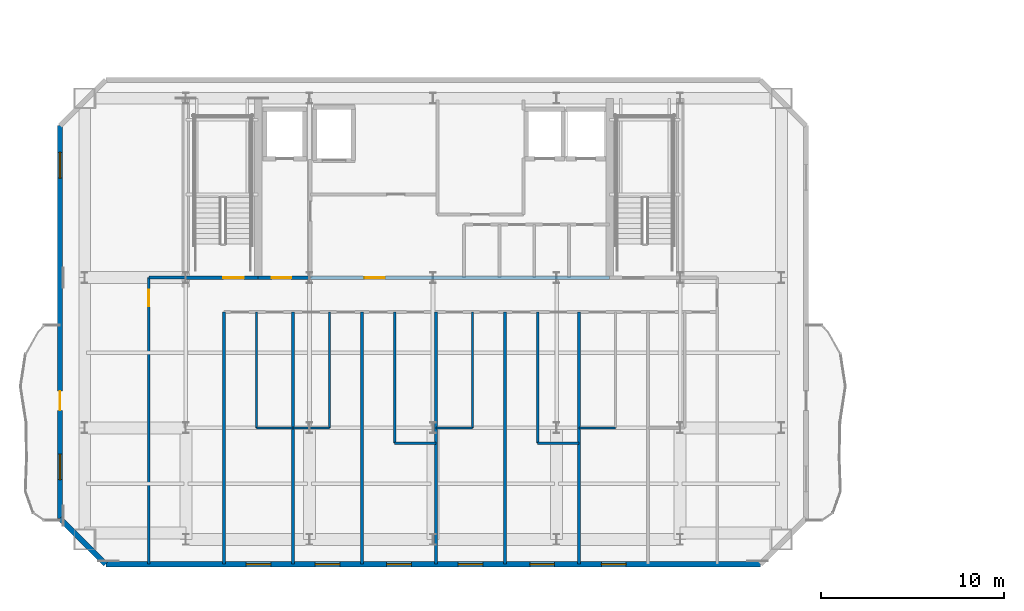
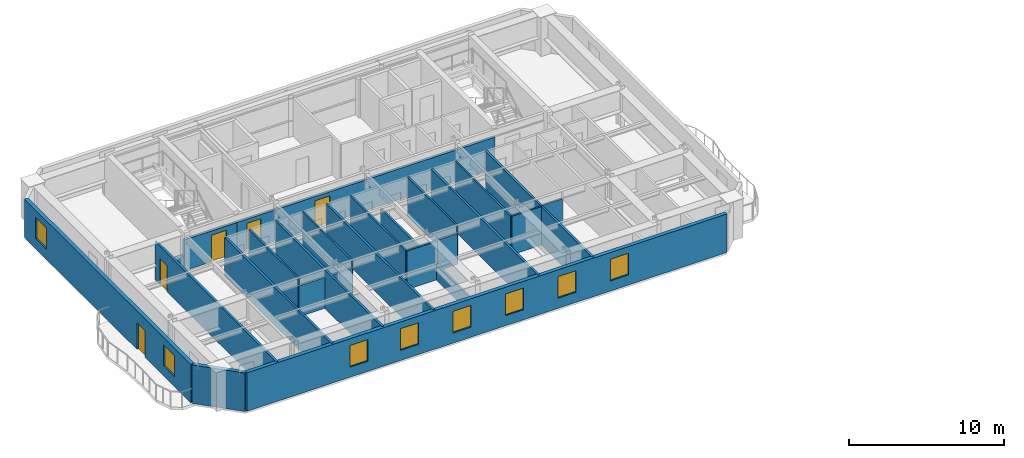
# One storey, part 7 of 16: 25 walls, 8 windows, 5 doors, 13 openings.
"""IFC4 building model written with IfcOpenShell, lengths in metres."""

from ifc_helpers import new_model, si_unit, direction, frame, frame_2d, origin, place, context, subcontext, project, spatial, rectangle, extrude, material, layer, layer_set, type_object, element, fill, save


model = new_model("IFC4")

# Units and contexts
model_context = context("Model", 3, precision=1e-05, world=origin(), true_north=direction((0.0, 1.0)))
body_context = subcontext(model_context, "Body", "Model", "MODEL_VIEW")
ifc_project = project(units=[si_unit("LENGTHUNIT", "METRE"), si_unit("AREAUNIT", "SQUARE_METRE"), si_unit("VOLUMEUNIT", "CUBIC_METRE"), si_unit("PLANEANGLEUNIT", "RADIAN"), si_unit("MASSUNIT", "GRAM", prefix="KILO")], contexts=[model_context])

# Site, building, storey
site_placement = place(None, origin())
site = spatial("IfcSite", under=ifc_project, at=site_placement, CompositionType="ELEMENT")
building_placement = place(site_placement, origin())
building = spatial("IfcBuilding", under=site, at=building_placement, Name="Haevon Station Towers", CompositionType="ELEMENT")
storey_placement = place(building_placement, frame((0.0, 0.0, 215.39990234375)))
storey = spatial("IfcBuildingStorey", under=building, at=storey_placement, Name="L59", CompositionType="ELEMENT", Elevation=215.39990234375)

# Wall, opening, door
ifc_material_1 = material(Name="Gypsum board on steel stud", Category="steel")
ifc_layer_1 = layer(ifc_material_1, 0.199951171875)
ifc_layer_set_1 = layer_set([ifc_layer_1], Name="Gypsum board on steel stud")
wall_type_1 = type_object("IfcWallType", Name="WL-COR200", PredefinedType="PARTITIONING", material=ifc_layer_set_1)
wall_1_placement = place(storey_placement, frame((24.0, 38.199951171875, 0.0), z_axis=(0.0, 0.0, 1.0), x_axis=(1.0, 0.0, 0.0)))
wall_1 = element("IfcWall", 1, at=wall_1_placement, inside=storey, type_object=wall_type_1, Name="WL-ST-ST1-L59", PredefinedType="PARTITIONING", context=body_context, shape_type="SweptSolid", body=[
    extrude(rectangle(XDim=3.949951171875, YDim=0.199951171875, at=frame_2d((1.97509765625, 0.0))), origin(), (0.0, 0.0, 1.0), 2.43017578125),
])
opening_1_placement = place(wall_1_placement, frame((2.050048828125, 0.0, 0.0)))
opening_1 = element("IfcOpeningElement", 2, at=opening_1_placement, cuts=wall_1, Name="Opening DR-ST-ST1-L59", PredefinedType="OPENING", context=body_context, shape_type="SweptSolid", body=[
    extrude(rectangle(XDim=1.1201171875, YDim=2.10009765625, at=frame_2d((0.56005859375, 1.050048828125))), frame((0.0, 0.10986328125, 0.0), z_axis=(0.0, -1.0, 0.0), x_axis=(1.0, 0.0, 0.0)), (0.0, 0.0, 1.0), 0.219970703125),
])
ifc_material_2 = material(Name="Engineered oak timber", Category="wood")
door_type_1 = type_object("IfcDoorType", Name="DR-ST-1120", OperationType="NOTDEFINED", PredefinedType="DOOR", material=ifc_material_2)
door_1_placement = place(opening_1_placement, origin())
door_1 = element("IfcDoor", 3, at=door_1_placement, inside=storey, type_object=door_type_1, Name="L59 Escape Stair ST1 Fire Door", OperationType="SINGLE_SWING_LEFT", OverallHeight=2.10009765625, OverallWidth=1.1201171875, PredefinedType="DOOR", context=body_context, shape_type="SweptSolid", body=[
    extrude(rectangle(XDim=1.1201171875, YDim=2.10009765625, at=frame_2d((0.56005859375, 1.050048828125))), frame((0.0, 0.02490234375, 0.0), z_axis=(0.0, -1.0, 0.0), x_axis=(1.0, 0.0, 0.0)), (0.0, 0.0, 1.0), 0.050048828125),
])
fill(opening_1, door_1)

wall_2_placement = place(storey_placement, frame((27.949951171875, 38.199951171875, 0.0), z_axis=(0.0, 0.0, 1.0), x_axis=(1.0, 0.0, 0.0)))
wall_2 = element("IfcWall", 4, at=wall_2_placement, inside=storey, type_object=wall_type_1, Name="WL-T1FFL-L59-S", PredefinedType="PARTITIONING", context=body_context, shape_type="SweptSolid", body=[
    extrude(rectangle(XDim=2.85009765625, YDim=0.199951171875, at=frame_2d((1.425048828125, 0.0))), origin(), (0.0, 0.0, 1.0), 2.43017578125),
])
opening_2_placement = place(wall_2_placement, frame((0.75, 0.0, 0.0)))
opening_2 = element("IfcOpeningElement", 5, at=opening_2_placement, cuts=wall_2, Name="Opening DR-T1FFL-L59-S", PredefinedType="OPENING", context=body_context, shape_type="SweptSolid", body=[
    extrude(rectangle(XDim=1.050048828125, YDim=2.10009765625, at=frame_2d((0.52490234375, 1.050048828125))), frame((0.0, 0.10986328125, 0.0), z_axis=(0.0, -1.0, 0.0), x_axis=(1.0, 0.0, 0.0)), (0.0, 0.0, 1.0), 0.219970703125),
])
door_type_2 = type_object("IfcDoorType", Name="DR-FD60-1050", OperationType="NOTDEFINED", PredefinedType="DOOR", material=ifc_material_2)
door_2_placement = place(opening_2_placement, origin())
door_2 = element("IfcDoor", 6, at=door_2_placement, inside=storey, type_object=door_type_2, Name="L59 Tower 1 Firefighting Lift Lobby Door S", OperationType="SINGLE_SWING_RIGHT", OverallHeight=2.10009765625, OverallWidth=1.050048828125, PredefinedType="DOOR", context=body_context, shape_type="SweptSolid", body=[
    extrude(rectangle(XDim=1.050048828125, YDim=2.10009765625, at=frame_2d((0.52490234375, 1.050048828125))), frame((0.0, 0.02490234375, 0.0), z_axis=(0.0, -1.0, 0.0), x_axis=(1.0, 0.0, 0.0)), (0.0, 0.0, 1.0), 0.050048828125),
])
fill(opening_2, door_2)

wall_3_placement = place(storey_placement, frame((30.800048828125, 38.199951171875, 0.0), z_axis=(0.0, 0.0, 1.0), x_axis=(1.0, 0.0, 0.0)))
wall_3 = element("IfcWall", 7, at=wall_3_placement, inside=storey, type_object=wall_type_1, Name="WL-T1CLB-L59", PredefinedType="PARTITIONING", context=body_context, shape_type="SweptSolid", body=[
    extrude(rectangle(XDim=16.349853515625, YDim=0.199951171875, at=frame_2d((8.1748046875, 0.0))), origin(), (0.0, 0.0, 1.0), 2.43017578125),
])
opening_3_placement = place(wall_3_placement, frame((2.949951171875, 0.0, 0.0)))
opening_3 = element("IfcOpeningElement", 8, at=opening_3_placement, cuts=wall_3, Name="Opening DR-T1CLB-L59-1", PredefinedType="OPENING", context=body_context, shape_type="SweptSolid", body=[
    extrude(rectangle(XDim=1.1201171875, YDim=2.10009765625, at=frame_2d((0.56005859375, 1.050048828125))), frame((0.0, 0.10986328125, 0.0), z_axis=(0.0, -1.0, 0.0), x_axis=(1.0, 0.0, 0.0)), (0.0, 0.0, 1.0), 0.219970703125),
])
door_3_placement = place(opening_3_placement, origin())
door_3 = element("IfcDoor", 9, at=door_3_placement, inside=storey, type_object=door_type_1, Name="L59 Tower 1 Core Lift Lobby Door 1", OperationType="SINGLE_SWING_LEFT", OverallHeight=2.10009765625, OverallWidth=1.1201171875, PredefinedType="DOOR", context=body_context, shape_type="SweptSolid", body=[
    extrude(rectangle(XDim=1.1201171875, YDim=2.10009765625, at=frame_2d((0.56005859375, 1.050048828125))), frame((0.0, 0.02490234375, 0.0), z_axis=(0.0, -1.0, 0.0), x_axis=(1.0, 0.0, 0.0)), (0.0, 0.0, 1.0), 0.050048828125),
])
fill(opening_3, door_3)

# Wall, openings, windows
ifc_material_3 = material(Name="Precast concrete C45/55", Category="concrete")
ifc_layer_2 = layer(ifc_material_3, 0.280029296875)
ifc_layer_set_2 = layer_set([ifc_layer_2], Name="Precast concrete C45/55")
wall_type_2 = type_object("IfcWallType", Name="WL-EXT-PIER280", PredefinedType="SOLIDWALL", material=ifc_layer_set_2)
wall_4_placement = place(storey_placement, frame((55.375, 22.550048828125, 0.0), z_axis=(0.0, 0.0, 1.0), x_axis=(-1.0, 0.0, 0.0)))
wall_4 = element("IfcWall", 10, at=wall_4_placement, inside=storey, type_object=wall_type_2, Name="WL-T1-L59-S", PredefinedType="SOLIDWALL", context=body_context, shape_type="SweptSolid", body=[
    extrude(rectangle(XDim=35.75, YDim=0.280029296875, at=frame_2d((17.875, 0.0))), origin(), (0.0, 0.0, 1.0), 3.030029296875),
])
opening_4_placement = place(wall_4_placement, frame((26.73388671875, 0.0, 0.800048828125)))
opening_4 = element("IfcOpeningElement", 11, at=opening_4_placement, cuts=wall_4, Name="Opening WN-P135", PredefinedType="OPENING", context=body_context, shape_type="SweptSolid", body=[
    extrude(rectangle(XDim=1.35009765625, YDim=1.699951171875, at=frame_2d((0.675048828125, 0.85009765625))), frame((0.0, 0.14990234375, 0.0), z_axis=(0.0, -1.0, 0.0), x_axis=(1.0, 0.0, 0.0)), (0.0, 0.0, 1.0), 0.300048828125),
])
opening_5_placement = place(wall_4_placement, frame((22.96142578125, 0.0, 0.800048828125)))
opening_5 = element("IfcOpeningElement", 12, at=opening_5_placement, cuts=wall_4, Name="Opening WN-P135", PredefinedType="OPENING", context=body_context, shape_type="SweptSolid", body=[
    extrude(rectangle(XDim=1.35009765625, YDim=1.699951171875, at=frame_2d((0.675048828125, 0.85009765625))), frame((0.0, 0.14990234375, 0.0), z_axis=(0.0, -1.0, 0.0), x_axis=(1.0, 0.0, 0.0)), (0.0, 0.0, 1.0), 0.300048828125),
])
opening_6_placement = place(wall_4_placement, frame((19.0546875, 0.0, 0.800048828125)))
opening_6 = element("IfcOpeningElement", 13, at=opening_6_placement, cuts=wall_4, Name="Opening WN-P135", PredefinedType="OPENING", context=body_context, shape_type="SweptSolid", body=[
    extrude(rectangle(XDim=1.35009765625, YDim=1.699951171875, at=frame_2d((0.675048828125, 0.85009765625))), frame((0.0, 0.14990234375, 0.0), z_axis=(0.0, -1.0, 0.0), x_axis=(1.0, 0.0, 0.0)), (0.0, 0.0, 1.0), 0.300048828125),
])
opening_7_placement = place(wall_4_placement, frame((15.147705078125, 0.0, 0.800048828125)))
opening_7 = element("IfcOpeningElement", 14, at=opening_7_placement, cuts=wall_4, Name="Opening WN-P135", PredefinedType="OPENING", context=body_context, shape_type="SweptSolid", body=[
    extrude(rectangle(XDim=1.35009765625, YDim=1.699951171875, at=frame_2d((0.675048828125, 0.85009765625))), frame((0.0, 0.14990234375, 0.0), z_axis=(0.0, -1.0, 0.0), x_axis=(1.0, 0.0, 0.0)), (0.0, 0.0, 1.0), 0.300048828125),
])
opening_8_placement = place(wall_4_placement, frame((11.240478515625, 0.0, 0.800048828125)))
opening_8 = element("IfcOpeningElement", 15, at=opening_8_placement, cuts=wall_4, Name="Opening WN-P135", PredefinedType="OPENING", context=body_context, shape_type="SweptSolid", body=[
    extrude(rectangle(XDim=1.35009765625, YDim=1.699951171875, at=frame_2d((0.675048828125, 0.85009765625))), frame((0.0, 0.14990234375, 0.0), z_axis=(0.0, -1.0, 0.0), x_axis=(1.0, 0.0, 0.0)), (0.0, 0.0, 1.0), 0.300048828125),
])
opening_9_placement = place(wall_4_placement, frame((7.33349609375, 0.0, 0.800048828125)))
opening_9 = element("IfcOpeningElement", 16, at=opening_9_placement, cuts=wall_4, Name="Opening WN-P135", PredefinedType="OPENING", context=body_context, shape_type="SweptSolid", body=[
    extrude(rectangle(XDim=1.35009765625, YDim=1.699951171875, at=frame_2d((0.675048828125, 0.85009765625))), frame((0.0, 0.14990234375, 0.0), z_axis=(0.0, -1.0, 0.0), x_axis=(1.0, 0.0, 0.0)), (0.0, 0.0, 1.0), 0.300048828125),
])
ifc_material_4 = material(Name="Low-E triple glazing in thermally broken aluminium", Category="aluminium")
window_type_1 = type_object("IfcWindowType", Name="WN-P135", PartitioningType="SINGLE_PANEL", PredefinedType="WINDOW", material=ifc_material_4)
window_1_placement = place(opening_4_placement, origin())
window_1 = element("IfcWindow", 17, at=window_1_placement, inside=storey, type_object=window_type_1, Name="WN-T1-L59-S01", OverallHeight=1.699951171875, OverallWidth=1.35009765625, PartitioningType="SINGLE_PANEL", PredefinedType="WINDOW", context=body_context, shape_type="SweptSolid", body=[
    extrude(rectangle(XDim=1.35009765625, YDim=1.699951171875, at=frame_2d((0.675048828125, 0.85009765625))), frame((0.0, 0.030029296875, 0.0), z_axis=(0.0, -1.0, 0.0), x_axis=(1.0, 0.0, 0.0)), (0.0, 0.0, 1.0), 0.06005859375),
])
fill(opening_4, window_1)
window_2_placement = place(opening_5_placement, origin())
window_2 = element("IfcWindow", 18, at=window_2_placement, inside=storey, type_object=window_type_1, Name="WN-T1-L59-S02", OverallHeight=1.699951171875, OverallWidth=1.35009765625, PartitioningType="SINGLE_PANEL", PredefinedType="WINDOW", context=body_context, shape_type="SweptSolid", body=[
    extrude(rectangle(XDim=1.35009765625, YDim=1.699951171875, at=frame_2d((0.675048828125, 0.85009765625))), frame((0.0, 0.030029296875, 0.0), z_axis=(0.0, -1.0, 0.0), x_axis=(1.0, 0.0, 0.0)), (0.0, 0.0, 1.0), 0.06005859375),
])
fill(opening_5, window_2)
window_3_placement = place(opening_6_placement, origin())
window_3 = element("IfcWindow", 19, at=window_3_placement, inside=storey, type_object=window_type_1, Name="WN-T1-L59-S03", OverallHeight=1.699951171875, OverallWidth=1.35009765625, PartitioningType="SINGLE_PANEL", PredefinedType="WINDOW", context=body_context, shape_type="SweptSolid", body=[
    extrude(rectangle(XDim=1.35009765625, YDim=1.699951171875, at=frame_2d((0.675048828125, 0.85009765625))), frame((0.0, 0.030029296875, 0.0), z_axis=(0.0, -1.0, 0.0), x_axis=(1.0, 0.0, 0.0)), (0.0, 0.0, 1.0), 0.06005859375),
])
fill(opening_6, window_3)
window_4_placement = place(opening_7_placement, origin())
window_4 = element("IfcWindow", 20, at=window_4_placement, inside=storey, type_object=window_type_1, Name="WN-T1-L59-S04", OverallHeight=1.699951171875, OverallWidth=1.35009765625, PartitioningType="SINGLE_PANEL", PredefinedType="WINDOW", context=body_context, shape_type="SweptSolid", body=[
    extrude(rectangle(XDim=1.35009765625, YDim=1.699951171875, at=frame_2d((0.675048828125, 0.85009765625))), frame((0.0, 0.030029296875, 0.0), z_axis=(0.0, -1.0, 0.0), x_axis=(1.0, 0.0, 0.0)), (0.0, 0.0, 1.0), 0.06005859375),
])
fill(opening_7, window_4)
window_5_placement = place(opening_8_placement, origin())
window_5 = element("IfcWindow", 21, at=window_5_placement, inside=storey, type_object=window_type_1, Name="WN-T1-L59-S05", OverallHeight=1.699951171875, OverallWidth=1.35009765625, PartitioningType="SINGLE_PANEL", PredefinedType="WINDOW", context=body_context, shape_type="SweptSolid", body=[
    extrude(rectangle(XDim=1.35009765625, YDim=1.699951171875, at=frame_2d((0.675048828125, 0.85009765625))), frame((0.0, 0.030029296875, 0.0), z_axis=(0.0, -1.0, 0.0), x_axis=(1.0, 0.0, 0.0)), (0.0, 0.0, 1.0), 0.06005859375),
])
fill(opening_8, window_5)
window_6_placement = place(opening_9_placement, origin())
window_6 = element("IfcWindow", 22, at=window_6_placement, inside=storey, type_object=window_type_1, Name="WN-T1-L59-S06", OverallHeight=1.699951171875, OverallWidth=1.35009765625, PartitioningType="SINGLE_PANEL", PredefinedType="WINDOW", context=body_context, shape_type="SweptSolid", body=[
    extrude(rectangle(XDim=1.35009765625, YDim=1.699951171875, at=frame_2d((0.675048828125, 0.85009765625))), frame((0.0, 0.030029296875, 0.0), z_axis=(0.0, -1.0, 0.0), x_axis=(1.0, 0.0, 0.0)), (0.0, 0.0, 1.0), 0.06005859375),
])
fill(opening_9, window_6)

# Wall
wall_5_placement = place(storey_placement, frame((19.625, 22.550048828125, 0.0), z_axis=(0.0, 0.0, 1.0), x_axis=(-0.707106781187, 0.707106781187, 0.0)))
element("IfcWall", 23, at=wall_5_placement, inside=storey, type_object=wall_type_2, Name="WL-T1-L59-SWC", PredefinedType="SOLIDWALL", context=body_context, shape_type="SweptSolid", body=[
    extrude(rectangle(XDim=3.53564453125, YDim=0.280029296875, at=frame_2d((1.767822265625, 0.0))), origin(), (0.0, 0.0, 1.0), 3.030029296875),
])

# Wall, openings, door, windows
wall_6_placement = place(storey_placement, frame((17.125, 25.050048828125, 0.0), z_axis=(0.0, 0.0, 1.0), x_axis=(0.0, 1.0, 0.0)))
wall_6 = element("IfcWall", 24, at=wall_6_placement, inside=storey, type_object=wall_type_2, Name="WL-T1-L59-W", PredefinedType="SOLIDWALL", context=body_context, shape_type="SweptSolid", body=[
    extrude(rectangle(XDim=21.449951171875, YDim=0.280029296875, at=frame_2d((10.72509765625, 0.0))), origin(), (0.0, 0.0, 1.0), 3.030029296875),
])
opening_10_placement = place(wall_6_placement, frame((5.89990234375, 0.0, 0.0)))
opening_10 = element("IfcOpeningElement", 25, at=opening_10_placement, cuts=wall_6, Name="Opening DR-T1-SCAL-L59-W", PredefinedType="OPENING", context=body_context, shape_type="SweptSolid", body=[
    extrude(rectangle(XDim=1.050048828125, YDim=2.10009765625, at=frame_2d((0.52490234375, 1.050048828125))), frame((0.0, 0.14990234375, 0.0), z_axis=(0.0, -1.0, 0.0), x_axis=(1.0, 0.0, 0.0)), (0.0, 0.0, 1.0), 0.300048828125),
])
opening_11_placement = place(wall_6_placement, frame((2.117919921875, 0.0, 0.800048828125)))
opening_11 = element("IfcOpeningElement", 26, at=opening_11_placement, cuts=wall_6, Name="Opening WN-END140", PredefinedType="OPENING", context=body_context, shape_type="SweptSolid", body=[
    extrude(rectangle(XDim=1.39990234375, YDim=1.64990234375, at=frame_2d((0.699951171875, 0.824951171875))), frame((0.0, 0.14990234375, 0.0), z_axis=(0.0, -1.0, 0.0), x_axis=(1.0, 0.0, 0.0)), (0.0, 0.0, 1.0), 0.300048828125),
])
opening_12_placement = place(wall_6_placement, frame((18.591064453125, 0.0, 0.800048828125)))
opening_12 = element("IfcOpeningElement", 27, at=opening_12_placement, cuts=wall_6, Name="Opening WN-END140", PredefinedType="OPENING", context=body_context, shape_type="SweptSolid", body=[
    extrude(rectangle(XDim=1.39990234375, YDim=1.64990234375, at=frame_2d((0.699951171875, 0.824951171875))), frame((0.0, 0.14990234375, 0.0), z_axis=(0.0, -1.0, 0.0), x_axis=(1.0, 0.0, 0.0)), (0.0, 0.0, 1.0), 0.300048828125),
])
ifc_material_5 = material(Name="Thermally broken anodised aluminium and laminated safety glass", Category="aluminium")
door_type_3 = type_object("IfcDoorType", Name="DR-BALC-1050", OperationType="NOTDEFINED", PredefinedType="DOOR", material=ifc_material_5)
door_4_placement = place(opening_10_placement, origin())
door_4 = element("IfcDoor", 28, at=door_4_placement, inside=storey, type_object=door_type_3, Name="Tower 1 L59 West Scalloped Balcony Door", OperationType="SINGLE_SWING_RIGHT", OverallHeight=2.10009765625, OverallWidth=1.050048828125, PredefinedType="DOOR", context=body_context, shape_type="SweptSolid", body=[
    extrude(rectangle(XDim=1.050048828125, YDim=2.10009765625, at=frame_2d((0.52490234375, 1.050048828125))), frame((0.0, 0.02490234375, 0.0), z_axis=(0.0, -1.0, 0.0), x_axis=(1.0, 0.0, 0.0)), (0.0, 0.0, 1.0), 0.050048828125),
])
fill(opening_10, door_4)
window_type_2 = type_object("IfcWindowType", Name="WN-END140", PartitioningType="SINGLE_PANEL", PredefinedType="WINDOW", material=ifc_material_4)
window_7_placement = place(opening_11_placement, origin())
window_7 = element("IfcWindow", 29, at=window_7_placement, inside=storey, type_object=window_type_2, Name="WN-T1-L59-W01", OverallHeight=1.64990234375, OverallWidth=1.39990234375, PartitioningType="SINGLE_PANEL", PredefinedType="WINDOW", context=body_context, shape_type="SweptSolid", body=[
    extrude(rectangle(XDim=1.39990234375, YDim=1.64990234375, at=frame_2d((0.699951171875, 0.824951171875))), frame((0.0, 0.030029296875, 0.0), z_axis=(0.0, -1.0, 0.0), x_axis=(1.0, 0.0, 0.0)), (0.0, 0.0, 1.0), 0.06005859375),
])
fill(opening_11, window_7)
window_8_placement = place(opening_12_placement, origin())
window_8 = element("IfcWindow", 30, at=window_8_placement, inside=storey, type_object=window_type_2, Name="WN-T1-L59-W02", OverallHeight=1.64990234375, OverallWidth=1.39990234375, PartitioningType="SINGLE_PANEL", PredefinedType="WINDOW", context=body_context, shape_type="SweptSolid", body=[
    extrude(rectangle(XDim=1.39990234375, YDim=1.64990234375, at=frame_2d((0.699951171875, 0.824951171875))), frame((0.0, 0.030029296875, 0.0), z_axis=(0.0, -1.0, 0.0), x_axis=(1.0, 0.0, 0.0)), (0.0, 0.0, 1.0), 0.06005859375),
])
fill(opening_12, window_8)

# Walls
ifc_layer_3 = layer(ifc_material_1, 0.125)
ifc_layer_set_3 = layer_set([ifc_layer_3], Name="Gypsum board on steel stud")
wall_type_3 = type_object("IfcWallType", Name="WL-PRT125", PredefinedType="PARTITIONING", material=ifc_layer_set_3)
wall_7_placement = place(storey_placement, frame((27.860107421875, 29.990966796875, 0.0), z_axis=(0.0, 0.0, 1.0), x_axis=(1.0, 0.0, 0.0)))
element("IfcWall", 31, at=wall_7_placement, inside=storey, type_object=wall_type_3, Name="WL-T1PT-L59-06", PredefinedType="PARTITIONING", context=body_context, shape_type="SweptSolid", body=[
    extrude(rectangle(XDim=1.9921875, YDim=0.125, at=frame_2d((0.99609375, 0.0))), origin(), (0.0, 0.0, 1.0), 2.43017578125),
])
wall_8_placement = place(storey_placement, frame((27.860107421875, 29.990966796875, 0.0), z_axis=(0.0, 0.0, 1.0), x_axis=(0.0, 1.0, 0.0)))
element("IfcWall", 32, at=wall_8_placement, inside=storey, type_object=wall_type_3, Name="WL-T1PT-L59-07", PredefinedType="PARTITIONING", context=body_context, shape_type="SweptSolid", body=[
    extrude(rectangle(XDim=6.3291015625, YDim=0.125, at=frame_2d((3.16455078125, 0.0))), origin(), (0.0, 0.0, 1.0), 3.030029296875),
])
wall_9_placement = place(storey_placement, frame((29.852294921875, 29.990966796875, 0.0), z_axis=(0.0, 0.0, 1.0), x_axis=(1.0, 0.0, 0.0)))
element("IfcWall", 33, at=wall_9_placement, inside=storey, type_object=wall_type_3, Name="WL-T1PT-L59-09", PredefinedType="PARTITIONING", context=body_context, shape_type="SweptSolid", body=[
    extrude(rectangle(XDim=1.9921875, YDim=0.125, at=frame_2d((0.99609375, 0.0))), origin(), (0.0, 0.0, 1.0), 2.43017578125),
])
wall_10_placement = place(storey_placement, frame((31.844482421875, 29.990966796875, 0.0), z_axis=(0.0, 0.0, 1.0), x_axis=(0.0, 1.0, 0.0)))
element("IfcWall", 34, at=wall_10_placement, inside=storey, type_object=wall_type_3, Name="WL-T1PT-L59-10", PredefinedType="PARTITIONING", context=body_context, shape_type="SweptSolid", body=[
    extrude(rectangle(XDim=6.3291015625, YDim=0.125, at=frame_2d((3.16455078125, 0.0))), origin(), (0.0, 0.0, 1.0), 3.030029296875),
])
wall_11_placement = place(storey_placement, frame((35.404541015625, 29.1591796875, 0.0), z_axis=(0.0, 0.0, 1.0), x_axis=(1.0, 0.0, 0.0)))
element("IfcWall", 35, at=wall_11_placement, inside=storey, type_object=wall_type_3, Name="WL-T1PT-L59-12", PredefinedType="PARTITIONING", context=body_context, shape_type="SweptSolid", body=[
    extrude(rectangle(XDim=2.26171875, YDim=0.125, at=frame_2d((1.130859375, 0.0))), origin(), (0.0, 0.0, 1.0), 3.030029296875),
])
wall_12_placement = place(storey_placement, frame((35.404541015625, 29.1591796875, 0.0), z_axis=(0.0, 0.0, 1.0), x_axis=(0.0, 1.0, 0.0)))
element("IfcWall", 36, at=wall_12_placement, inside=storey, type_object=wall_type_3, Name="WL-T1PT-L59-13", PredefinedType="PARTITIONING", context=body_context, shape_type="SweptSolid", body=[
    extrude(rectangle(XDim=7.160888671875, YDim=0.125, at=frame_2d((3.58056640625, 0.0))), origin(), (0.0, 0.0, 1.0), 3.030029296875),
])
wall_13_placement = place(storey_placement, frame((37.666259765625, 29.990966796875, 0.0), z_axis=(0.0, 0.0, 1.0), x_axis=(1.0, 0.0, 0.0)))
element("IfcWall", 37, at=wall_13_placement, inside=storey, type_object=wall_type_3, Name="WL-T1PT-L59-15", PredefinedType="PARTITIONING", context=body_context, shape_type="SweptSolid", body=[
    extrude(rectangle(XDim=1.992431640625, YDim=0.125, at=frame_2d((0.99609375, 0.0))), origin(), (0.0, 0.0, 1.0), 2.43017578125),
])
wall_14_placement = place(storey_placement, frame((39.65869140625, 29.990966796875, 0.0), z_axis=(0.0, 0.0, 1.0), x_axis=(0.0, 1.0, 0.0)))
element("IfcWall", 38, at=wall_14_placement, inside=storey, type_object=wall_type_3, Name="WL-T1PT-L59-16", PredefinedType="PARTITIONING", context=body_context, shape_type="SweptSolid", body=[
    extrude(rectangle(XDim=6.3291015625, YDim=0.125, at=frame_2d((3.16455078125, 0.0))), origin(), (0.0, 0.0, 1.0), 3.030029296875),
])
wall_15_placement = place(storey_placement, frame((43.218505859375, 29.158935546875, 0.0), z_axis=(0.0, 0.0, 1.0), x_axis=(1.0, 0.0, 0.0)))
element("IfcWall", 39, at=wall_15_placement, inside=storey, type_object=wall_type_3, Name="WL-T1PT-L59-18", PredefinedType="PARTITIONING", context=body_context, shape_type="SweptSolid", body=[
    extrude(rectangle(XDim=2.261962890625, YDim=0.125, at=frame_2d((1.130859375, 0.0))), origin(), (0.0, 0.0, 1.0), 3.030029296875),
])
wall_16_placement = place(storey_placement, frame((43.218505859375, 29.158935546875, 0.0), z_axis=(0.0, 0.0, 1.0), x_axis=(0.0, 1.0, 0.0)))
element("IfcWall", 40, at=wall_16_placement, inside=storey, type_object=wall_type_3, Name="WL-T1PT-L59-19", PredefinedType="PARTITIONING", context=body_context, shape_type="SweptSolid", body=[
    extrude(rectangle(XDim=7.1611328125, YDim=0.125, at=frame_2d((3.58056640625, 0.0))), origin(), (0.0, 0.0, 1.0), 3.030029296875),
])
wall_17_placement = place(storey_placement, frame((45.48046875, 29.990966796875, 0.0), z_axis=(0.0, 0.0, 1.0), x_axis=(1.0, 0.0, 0.0)))
element("IfcWall", 41, at=wall_17_placement, inside=storey, type_object=wall_type_3, Name="WL-T1PT-L59-21", PredefinedType="PARTITIONING", context=body_context, shape_type="SweptSolid", body=[
    extrude(rectangle(XDim=1.9921875, YDim=0.125, at=frame_2d((0.99609375, 0.0))), origin(), (0.0, 0.0, 1.0), 2.43017578125),
])
ifc_layer_4 = layer(ifc_material_1, 0.159912109375)
ifc_layer_set_4 = layer_set([ifc_layer_4], Name="Gypsum board on steel stud")
wall_type_4 = type_object("IfcWallType", Name="WL-PRT160", PredefinedType="PARTITIONING", material=ifc_layer_set_4)
wall_18_placement = place(storey_placement, frame((26.080078125, 22.550048828125, 0.0), z_axis=(0.0, 0.0, 1.0), x_axis=(0.0, 1.0, 0.0)))
element("IfcWall", 42, at=wall_18_placement, inside=storey, type_object=wall_type_4, Name="WL-T1PT-L59-01", PredefinedType="PARTITIONING", context=body_context, shape_type="SweptSolid", body=[
    extrude(rectangle(XDim=13.77001953125, YDim=0.159912109375, at=frame_2d((6.885009765625, 0.0))), origin(), (0.0, 0.0, 1.0), 3.030029296875),
])
wall_19_placement = place(storey_placement, frame((21.97509765625, 38.199951171875, 0.0), z_axis=(0.0, 0.0, 1.0), x_axis=(1.0, 0.0, 0.0)))
element("IfcWall", 43, at=wall_19_placement, inside=storey, type_object=wall_type_4, Name="WL-T1PT-L59-02", PredefinedType="PARTITIONING", context=body_context, shape_type="SweptSolid", body=[
    extrude(rectangle(XDim=2.02490234375, YDim=0.159912109375, at=frame_2d((1.012451171875, 0.0))), origin(), (0.0, 0.0, 1.0), 1.22998046875),
])

# Wall, opening, door
wall_20_placement = place(storey_placement, frame((21.97509765625, 22.550048828125, 0.0), z_axis=(0.0, 0.0, 1.0), x_axis=(0.0, 1.0, 0.0)))
wall_20 = element("IfcWall", 44, at=wall_20_placement, inside=storey, type_object=wall_type_4, Name="WL-T1PT-L59-04", PredefinedType="PARTITIONING", context=body_context, shape_type="SweptSolid", body=[
    extrude(rectangle(XDim=15.64990234375, YDim=0.159912109375, at=frame_2d((7.824951171875, 0.0))), origin(), (0.0, 0.0, 1.0), 3.030029296875),
])
opening_13_placement = place(wall_20_placement, frame((14.090087890625, 0.0, 0.0)))
opening_13 = element("IfcOpeningElement", 45, at=opening_13_placement, cuts=wall_20, Name="Opening DR-WL-T1PT-L59-04-01", PredefinedType="OPENING", context=body_context, shape_type="SweptSolid", body=[
    extrude(rectangle(XDim=0.89990234375, YDim=2.050048828125, at=frame_2d((0.449951171875, 1.02490234375))), frame((0.0, 0.08984375, 0.0), z_axis=(0.0, -1.0, 0.0), x_axis=(1.0, 0.0, 0.0)), (0.0, 0.0, 1.0), 0.179931640625),
])
door_type_4 = type_object("IfcDoorType", Name="DR-INT-900", OperationType="NOTDEFINED", PredefinedType="DOOR", material=ifc_material_2)
door_5_placement = place(opening_13_placement, origin())
door_5 = element("IfcDoor", 46, at=door_5_placement, inside=storey, type_object=door_type_4, Name="L59 Tower 1 Room Door 4-1", OperationType="SINGLE_SWING_LEFT", OverallHeight=2.050048828125, OverallWidth=0.89990234375, PredefinedType="DOOR", context=body_context, shape_type="SweptSolid", body=[
    extrude(rectangle(XDim=0.89990234375, YDim=2.050048828125, at=frame_2d((0.449951171875, 1.02490234375))), frame((0.0, 0.02490234375, 0.0), z_axis=(0.0, -1.0, 0.0), x_axis=(1.0, 0.0, 0.0)), (0.0, 0.0, 1.0), 0.050048828125),
])
fill(opening_13, door_5)

# Walls
for number, where, z_axis, x_axis, name in (
    (47, (29.852294921875, 22.550048828125, 0.0), (0.0, 0.0, 1.0), (0.0, 1.0, 0.0), "WL-T1PT-L59-08"),
    (48, (33.62451171875, 22.550048828125, 0.0), (0.0, 0.0, 1.0), (0.0, 1.0, 0.0), "WL-T1PT-L59-11"),
):
    element("IfcWall", number, at=place(storey_placement, frame(where, z_axis=z_axis, x_axis=x_axis)), inside=storey, type_object=wall_type_4, Name=name, PredefinedType="PARTITIONING", context=body_context, shape_type="SweptSolid", body=[
        extrude(rectangle(XDim=13.77001953125, YDim=0.159912109375, at=frame_2d((6.885009765625, 0.0))), origin(), (0.0, 0.0, 1.0), 3.030029296875),
    ])
wall_21_placement = place(storey_placement, frame((37.666259765625, 22.550048828125, 0.0), z_axis=(0.0, 0.0, 1.0), x_axis=(0.0, 1.0, 0.0)))
element("IfcWall", 49, at=wall_21_placement, inside=storey, type_object=wall_type_4, Name="WL-T1PT-L59-14", PredefinedType="PARTITIONING", context=body_context, shape_type="SweptSolid", body=[
    extrude(rectangle(XDim=13.77001953125, YDim=0.159912109375, at=frame_2d((6.885009765625, 0.0))), origin(), (0.0, 0.0, 1.0), 1.22998046875),
])
for number, where, z_axis, x_axis, name in (
    (50, (41.438720703125, 22.550048828125, 0.0), (0.0, 0.0, 1.0), (0.0, 1.0, 0.0), "WL-T1PT-L59-17"),
    (51, (45.48046875, 22.550048828125, 0.0), (0.0, 0.0, 1.0), (0.0, 1.0, 0.0), "WL-T1PT-L59-20"),
):
    element("IfcWall", number, at=place(storey_placement, frame(where, z_axis=z_axis, x_axis=x_axis)), inside=storey, type_object=wall_type_4, Name=name, PredefinedType="PARTITIONING", context=body_context, shape_type="SweptSolid", body=[
        extrude(rectangle(XDim=13.77001953125, YDim=0.159912109375, at=frame_2d((6.885009765625, 0.0))), origin(), (0.0, 0.0, 1.0), 3.030029296875),
    ])

save(model, "model.ifc")
